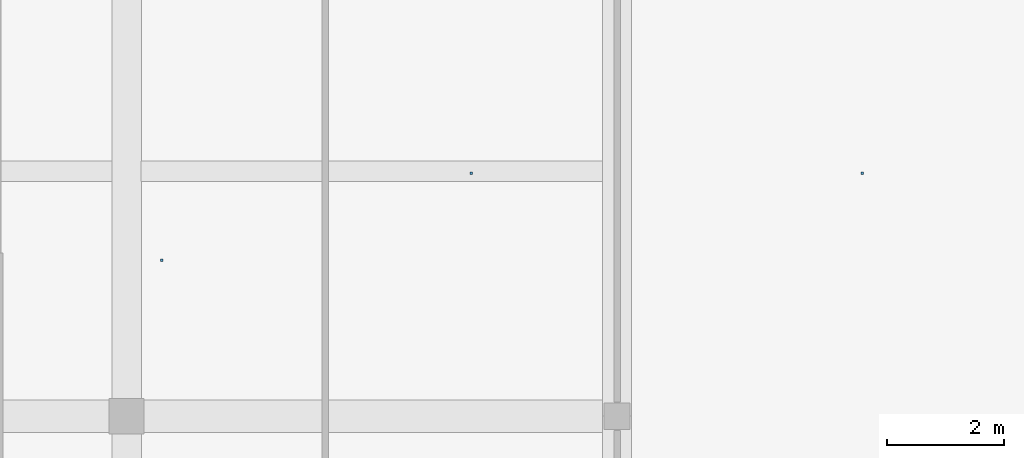
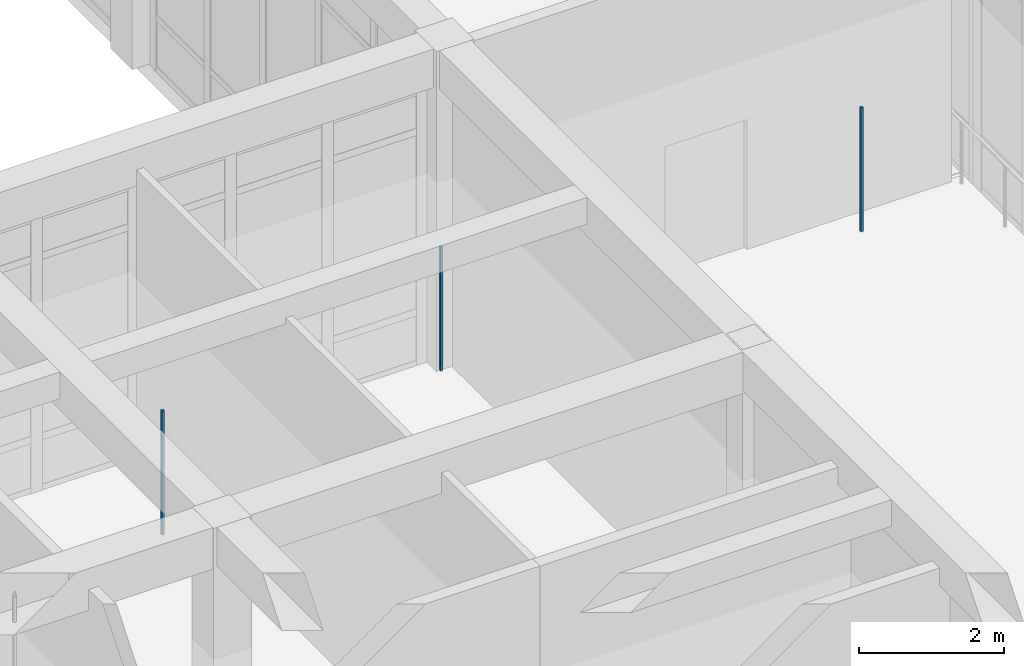
# One storey, part 105 of 157: 3 discrete accessories.
"""IFC4 building model written with IfcOpenShell, lengths in metres."""

from ifc_helpers import new_model, si_unit, direction, frame, origin, origin_2d, place, context, subcontext, project, spatial, rectangle, extrude, material, type_object, element, save


model = new_model("IFC4")

# Units and contexts
model_context = context("Model", 3, precision=1e-05, world=origin(), true_north=direction((0.0, 1.0)))
body_context = subcontext(model_context, "Body", "Model", "MODEL_VIEW")
ifc_project = project(units=[si_unit("LENGTHUNIT", "METRE"), si_unit("AREAUNIT", "SQUARE_METRE"), si_unit("VOLUMEUNIT", "CUBIC_METRE"), si_unit("PLANEANGLEUNIT", "RADIAN"), si_unit("MASSUNIT", "GRAM", prefix="KILO")], contexts=[model_context])

# Site, building, storey
site_placement = place(None, origin())
site = spatial("IfcSite", under=ifc_project, at=site_placement, CompositionType="ELEMENT")
building_placement = place(site_placement, origin())
building = spatial("IfcBuilding", under=site, at=building_placement, Name="Varncliffe General Hospital", CompositionType="ELEMENT")
storey_placement = place(building_placement, frame((0.0, 0.0, 5.39990234375)))
storey = spatial("IfcBuildingStorey", under=building, at=storey_placement, Name="L01", CompositionType="ELEMENT", Elevation=5.39990234375)

# Discrete accessories
ifc_material = material(Name="Powder-coated hospital steel guardrail and handrail", Category="steel")
discrete_accessory_type = type_object("IfcDiscreteAccessoryType", Name="Suspended Ceiling Hanger Bracket CH01", PredefinedType="BRACKET", material=ifc_material)
for number, where, z_axis, x_axis, name in (
    (1, (63.0, 36.5625, 3.18994140625), (0.0, 0.0, 1.0), (1.0, 0.0, 0.0), "L01 Suspended Ceiling Hanger 125"),
    (2, (51.0, 35.070068359375, 3.18994140625), (0.0, 0.0, 1.0), (1.0, 0.0, 0.0), "L01 Suspended Ceiling Hanger 142"),
    (3, (56.300048828125, 36.5625, 3.18994140625), (0.0, 0.0, 1.0), (1.0, 0.0, 0.0), "L01 Suspended Ceiling Hanger 143"),
):
    element("IfcDiscreteAccessory", number, at=place(storey_placement, frame(where, z_axis=z_axis, x_axis=x_axis)), inside=storey, type_object=discrete_accessory_type, Name=name, PredefinedType="BRACKET", context=body_context, shape_type="SweptSolid", body=[
        extrude(rectangle(XDim=0.0400390625, YDim=0.0400390625, at=origin_2d()), origin(), (0.0, 0.0, 1.0), 2.090087890625),
    ])

save(model, "model.ifc")
